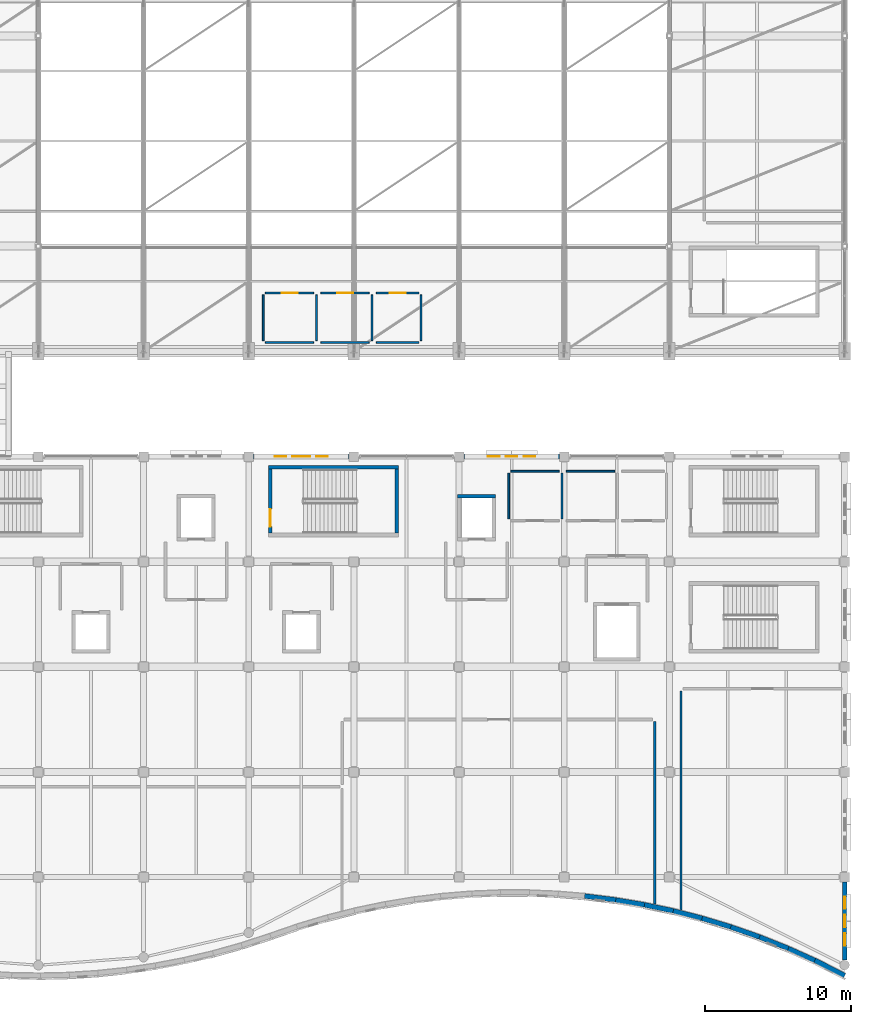
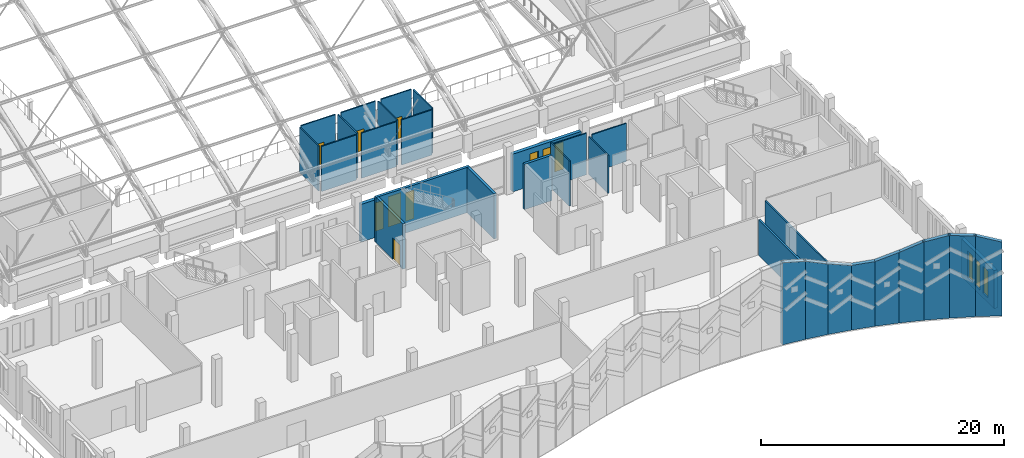
# One storey, part 91 of 116: 32 walls, 9 windows, 4 doors, 13 openings.
"""IFC4 building model written with IfcOpenShell, lengths in metres."""

from ifc_helpers import new_model, si_unit, direction, frame, frame_2d, origin, place, context, subcontext, project, spatial, polyline, rectangle, outline, extrude, material, layer, layer_set, type_object, element, fill, save


model = new_model("IFC4")

# Units and contexts
model_context = context("Model", 3, precision=1e-05, world=origin(), true_north=direction((0.0, 1.0)))
body_context = subcontext(model_context, "Body", "Model", "MODEL_VIEW")
ifc_project = project(units=[si_unit("LENGTHUNIT", "METRE"), si_unit("AREAUNIT", "SQUARE_METRE"), si_unit("VOLUMEUNIT", "CUBIC_METRE"), si_unit("PLANEANGLEUNIT", "RADIAN"), si_unit("MASSUNIT", "GRAM", prefix="KILO")], contexts=[model_context])

# Site, building, storey
site_placement = place(None, origin())
site = spatial("IfcSite", under=ifc_project, at=site_placement, CompositionType="ELEMENT")
building_placement = place(site_placement, origin())
building = spatial("IfcBuilding", under=site, at=building_placement, Name="Cendralis Lancet Convention Centre", CompositionType="ELEMENT")
storey_placement = place(building_placement, frame((0.0, 0.0, 15.0)))
storey = spatial("IfcBuildingStorey", under=building, at=storey_placement, Name="L03", CompositionType="ELEMENT", Elevation=15.0)

# Wall, openings, windows
ifc_material_1 = material(Name="Buff sandstone ashlar and Concrete G40 (C40/50)", Category="masonry")
ifc_layer_1 = layer(ifc_material_1, 0.320068359375, Name="Buff sandstone ashlar and Concrete G40 (C40/50)")
ifc_layer_set_1 = layer_set([ifc_layer_1], Name="Buff sandstone ashlar and Concrete G40 (C40/50)")
wall_type_1 = type_object("IfcWallType", Name="ARC-EW-W320", PredefinedType="STANDARD", material=ifc_layer_set_1)
wall_1_placement = place(storey_placement, frame((168.3330078125, 36.0, 0.0), z_axis=(0.0, 0.0, 1.0), x_axis=(1.0, 0.0, 0.0)))
wall_1 = element("IfcWall", 1, at=wall_1_placement, inside=storey, type_object=wall_type_1, Name="L03 V5 Exterior Wall EW-06 #0306", PredefinedType="STANDARD", context=body_context, shape_type="SweptSolid", body=[
    extrude(rectangle(XDim=6.533935546875, YDim=0.320068359375, at=frame_2d((3.26708984375, 0.0))), origin(), (0.0, 0.0, 1.0), 3.784912109375),
])
opening_1_placement = place(wall_1_placement, frame((1.447021484375, 0.0, 0.5)))
opening_1 = element("IfcOpeningElement", 2, at=opening_1_placement, cuts=wall_1, Name="Opening WN-01", PredefinedType="OPENING", context=body_context, shape_type="SweptSolid", body=[
    extrude(rectangle(XDim=0.780029296875, YDim=2.85009765625, at=frame_2d((0.39013671875, 1.425048828125))), frame((0.0, 0.169921875, 0.0), z_axis=(0.0, -1.0, 0.0), x_axis=(1.0, 0.0, 0.0)), (0.0, 0.0, 1.0), 0.340087890625),
])
opening_2_placement = place(wall_1_placement, frame((2.64697265625, 0.0, 0.5)))
opening_2 = element("IfcOpeningElement", 3, at=opening_2_placement, cuts=wall_1, Name="Opening WN-16", PredefinedType="OPENING", context=body_context, shape_type="SweptSolid", body=[
    extrude(rectangle(XDim=1.239990234375, YDim=3.050048828125, at=frame_2d((0.6201171875, 1.52490234375))), frame((0.0, 0.169921875, 0.0), z_axis=(0.0, -1.0, 0.0), x_axis=(1.0, 0.0, 0.0)), (0.0, 0.0, 1.0), 0.340087890625),
])
opening_3_placement = place(wall_1_placement, frame((4.306884765625, 0.0, 0.5)))
opening_3 = element("IfcOpeningElement", 4, at=opening_3_placement, cuts=wall_1, Name="Opening WN-01", PredefinedType="OPENING", context=body_context, shape_type="SweptSolid", body=[
    extrude(rectangle(XDim=0.780029296875, YDim=2.85009765625, at=frame_2d((0.39013671875, 1.425048828125))), frame((0.0, 0.169921875, 0.0), z_axis=(0.0, -1.0, 0.0), x_axis=(1.0, 0.0, 0.0)), (0.0, 0.0, 1.0), 0.340087890625),
])
ifc_material_2 = material(Name="Double-glazed low-E solar-control glass", Category="glass")
window_type_1 = type_object("IfcWindowType", Name="ARC-WN-LW01", PartitioningType="SINGLE_PANEL", PredefinedType="WINDOW", material=ifc_material_2)
window_1_placement = place(opening_1_placement, origin())
window_1 = element("IfcWindow", 5, at=window_1_placement, inside=storey, type_object=window_type_1, Name="Gothic Lancet Window WN-01 #0598", OverallHeight=2.85009765625, OverallWidth=0.780029296875, PartitioningType="SINGLE_PANEL", PredefinedType="WINDOW", context=body_context, shape_type="SweptSolid", body=[
    extrude(rectangle(XDim=0.780029296875, YDim=2.85009765625, at=frame_2d((0.39013671875, 1.425048828125))), frame((0.0, 0.030029296875, 0.0), z_axis=(0.0, -1.0, 0.0), x_axis=(1.0, 0.0, 0.0)), (0.0, 0.0, 1.0), 0.06005859375),
])
fill(opening_1, window_1)
window_2_placement = place(opening_3_placement, origin())
window_2 = element("IfcWindow", 6, at=window_2_placement, inside=storey, type_object=window_type_1, Name="Gothic Lancet Window WN-01 #0600", OverallHeight=2.85009765625, OverallWidth=0.780029296875, PartitioningType="SINGLE_PANEL", PredefinedType="WINDOW", context=body_context, shape_type="SweptSolid", body=[
    extrude(rectangle(XDim=0.780029296875, YDim=2.85009765625, at=frame_2d((0.39013671875, 1.425048828125))), frame((0.0, 0.030029296875, 0.0), z_axis=(0.0, -1.0, 0.0), x_axis=(1.0, 0.0, 0.0)), (0.0, 0.0, 1.0), 0.06005859375),
])
fill(opening_3, window_2)
window_type_2 = type_object("IfcWindowType", Name="ARC-WN-LW16", PartitioningType="SINGLE_PANEL", PredefinedType="WINDOW", material=ifc_material_2)
window_3_placement = place(opening_2_placement, origin())
window_3 = element("IfcWindow", 7, at=window_3_placement, inside=storey, type_object=window_type_2, Name="Gothic Lancet Window WN-16 #0599", OverallHeight=3.050048828125, OverallWidth=1.239990234375, PartitioningType="SINGLE_PANEL", PredefinedType="WINDOW", context=body_context, shape_type="SweptSolid", body=[
    extrude(rectangle(XDim=1.239990234375, YDim=3.050048828125, at=frame_2d((0.6201171875, 1.52490234375))), frame((0.0, 0.030029296875, 0.0), z_axis=(0.0, -1.0, 0.0), x_axis=(1.0, 0.0, 0.0)), (0.0, 0.0, 1.0), 0.06005859375),
])
fill(opening_2, window_3)

wall_2_placement = place(storey_placement, frame((182.73291015625, 36.0, 0.0), z_axis=(0.0, 0.0, 1.0), x_axis=(1.0, 0.0, 0.0)))
wall_2 = element("IfcWall", 8, at=wall_2_placement, inside=storey, type_object=wall_type_1, Name="L03 V5 Exterior Wall EW-06 #0307", PredefinedType="STANDARD", context=body_context, shape_type="SweptSolid", body=[
    extrude(rectangle(XDim=6.5341796875, YDim=0.320068359375, at=frame_2d((3.26708984375, 0.0))), origin(), (0.0, 0.0, 1.0), 3.784912109375),
])
opening_4_placement = place(wall_2_placement, frame((1.64697265625, 0.0, 0.5)))
opening_4 = element("IfcOpeningElement", 9, at=opening_4_placement, cuts=wall_2, Name="Opening WN-07", PredefinedType="OPENING", context=body_context, shape_type="SweptSolid", body=[
    extrude(rectangle(XDim=0.800048828125, YDim=2.75, at=frame_2d((0.39990234375, 1.375))), frame((0.0, 0.169921875, 0.0), z_axis=(0.0, -1.0, 0.0), x_axis=(1.0, 0.0, 0.0)), (0.0, 0.0, 1.0), 0.340087890625),
])
opening_5_placement = place(wall_2_placement, frame((2.866943359375, 0.0, 0.5)))
opening_5 = element("IfcOpeningElement", 10, at=opening_5_placement, cuts=wall_2, Name="Opening WN-07", PredefinedType="OPENING", context=body_context, shape_type="SweptSolid", body=[
    extrude(rectangle(XDim=0.800048828125, YDim=2.75, at=frame_2d((0.39990234375, 1.375))), frame((0.0, 0.169921875, 0.0), z_axis=(0.0, -1.0, 0.0), x_axis=(1.0, 0.0, 0.0)), (0.0, 0.0, 1.0), 0.340087890625),
])
opening_6_placement = place(wall_2_placement, frame((4.0869140625, 0.0, 0.5)))
opening_6 = element("IfcOpeningElement", 11, at=opening_6_placement, cuts=wall_2, Name="Opening WN-07", PredefinedType="OPENING", context=body_context, shape_type="SweptSolid", body=[
    extrude(rectangle(XDim=0.800048828125, YDim=2.75, at=frame_2d((0.39990234375, 1.375))), frame((0.0, 0.169921875, 0.0), z_axis=(0.0, -1.0, 0.0), x_axis=(1.0, 0.0, 0.0)), (0.0, 0.0, 1.0), 0.340087890625),
])
window_type_3 = type_object("IfcWindowType", Name="ARC-WN-LW07", PartitioningType="SINGLE_PANEL", PredefinedType="WINDOW", material=ifc_material_2)
window_4_placement = place(opening_4_placement, origin())
window_4 = element("IfcWindow", 12, at=window_4_placement, inside=storey, type_object=window_type_3, Name="Gothic Lancet Window WN-07 #0601", OverallHeight=2.75, OverallWidth=0.800048828125, PartitioningType="SINGLE_PANEL", PredefinedType="WINDOW", context=body_context, shape_type="SweptSolid", body=[
    extrude(rectangle(XDim=0.800048828125, YDim=2.75, at=frame_2d((0.39990234375, 1.375))), frame((0.0, 0.030029296875, 0.0), z_axis=(0.0, -1.0, 0.0), x_axis=(1.0, 0.0, 0.0)), (0.0, 0.0, 1.0), 0.06005859375),
])
fill(opening_4, window_4)
window_5_placement = place(opening_5_placement, origin())
window_5 = element("IfcWindow", 13, at=window_5_placement, inside=storey, type_object=window_type_3, Name="Gothic Lancet Window WN-07 #0602", OverallHeight=2.75, OverallWidth=0.800048828125, PartitioningType="SINGLE_PANEL", PredefinedType="WINDOW", context=body_context, shape_type="SweptSolid", body=[
    extrude(rectangle(XDim=0.800048828125, YDim=2.75, at=frame_2d((0.39990234375, 1.375))), frame((0.0, 0.030029296875, 0.0), z_axis=(0.0, -1.0, 0.0), x_axis=(1.0, 0.0, 0.0)), (0.0, 0.0, 1.0), 0.06005859375),
])
fill(opening_5, window_5)
window_6_placement = place(opening_6_placement, origin())
window_6 = element("IfcWindow", 14, at=window_6_placement, inside=storey, type_object=window_type_3, Name="Gothic Lancet Window WN-07 #0603", OverallHeight=2.75, OverallWidth=0.800048828125, PartitioningType="SINGLE_PANEL", PredefinedType="WINDOW", context=body_context, shape_type="SweptSolid", body=[
    extrude(rectangle(XDim=0.800048828125, YDim=2.75, at=frame_2d((0.39990234375, 1.375))), frame((0.0, 0.030029296875, 0.0), z_axis=(0.0, -1.0, 0.0), x_axis=(1.0, 0.0, 0.0)), (0.0, 0.0, 1.0), 0.06005859375),
])
fill(opening_6, window_6)

wall_3_placement = place(storey_placement, frame((208.800048828125, 6.866943359375, 0.0), z_axis=(0.0, 0.0, 1.0), x_axis=(0.0, -1.0, 0.0)))
wall_3 = element("IfcWall", 15, at=wall_3_placement, inside=storey, type_object=wall_type_1, Name="L03 V5 Exterior Wall EW-06 #0310", PredefinedType="STANDARD", context=body_context, shape_type="SweptSolid", body=[
    extrude(rectangle(XDim=5.35009765625, YDim=0.320068359375, at=frame_2d((2.675048828125, 0.0))), origin(), (0.0, 0.0, 1.0), 3.824951171875),
])
opening_7_placement = place(wall_3_placement, frame((0.9951171875, 0.0, 0.5)))
opening_7 = element("IfcOpeningElement", 16, at=opening_7_placement, cuts=wall_3, Name="Opening WN-15", PredefinedType="OPENING", context=body_context, shape_type="SweptSolid", body=[
    extrude(rectangle(XDim=0.840087890625, YDim=2.699951171875, at=frame_2d((0.419921875, 1.35009765625))), frame((0.0, 0.169921875, 0.0), z_axis=(0.0, -1.0, 0.0), x_axis=(1.0, 0.0, 0.0)), (0.0, 0.0, 1.0), 0.340087890625),
])
opening_8_placement = place(wall_3_placement, frame((2.255126953125, 0.0, 0.5)))
opening_8 = element("IfcOpeningElement", 17, at=opening_8_placement, cuts=wall_3, Name="Opening WN-15", PredefinedType="OPENING", context=body_context, shape_type="SweptSolid", body=[
    extrude(rectangle(XDim=0.840087890625, YDim=2.699951171875, at=frame_2d((0.419921875, 1.35009765625))), frame((0.0, 0.169921875, 0.0), z_axis=(0.0, -1.0, 0.0), x_axis=(1.0, 0.0, 0.0)), (0.0, 0.0, 1.0), 0.340087890625),
])
opening_9_placement = place(wall_3_placement, frame((3.51513671875, 0.0, 0.5)))
opening_9 = element("IfcOpeningElement", 18, at=opening_9_placement, cuts=wall_3, Name="Opening WN-15", PredefinedType="OPENING", context=body_context, shape_type="SweptSolid", body=[
    extrude(rectangle(XDim=0.840087890625, YDim=2.699951171875, at=frame_2d((0.419921875, 1.35009765625))), frame((0.0, 0.169921875, 0.0), z_axis=(0.0, -1.0, 0.0), x_axis=(1.0, 0.0, 0.0)), (0.0, 0.0, 1.0), 0.340087890625),
])
window_type_4 = type_object("IfcWindowType", Name="ARC-WN-LW15", PartitioningType="SINGLE_PANEL", PredefinedType="WINDOW", material=ifc_material_2)
window_7_placement = place(opening_7_placement, origin())
window_7 = element("IfcWindow", 19, at=window_7_placement, inside=storey, type_object=window_type_4, Name="Gothic Lancet Window WN-15 #0610", OverallHeight=2.699951171875, OverallWidth=0.840087890625, PartitioningType="SINGLE_PANEL", PredefinedType="WINDOW", context=body_context, shape_type="SweptSolid", body=[
    extrude(rectangle(XDim=0.840087890625, YDim=2.699951171875, at=frame_2d((0.419921875, 1.35009765625))), frame((0.0, 0.030029296875, 0.0), z_axis=(0.0, -1.0, 0.0), x_axis=(1.0, 0.0, 0.0)), (0.0, 0.0, 1.0), 0.06005859375),
])
fill(opening_7, window_7)
window_8_placement = place(opening_8_placement, origin())
window_8 = element("IfcWindow", 20, at=window_8_placement, inside=storey, type_object=window_type_4, Name="Gothic Lancet Window WN-15 #0611", OverallHeight=2.699951171875, OverallWidth=0.840087890625, PartitioningType="SINGLE_PANEL", PredefinedType="WINDOW", context=body_context, shape_type="SweptSolid", body=[
    extrude(rectangle(XDim=0.840087890625, YDim=2.699951171875, at=frame_2d((0.419921875, 1.35009765625))), frame((0.0, 0.030029296875, 0.0), z_axis=(0.0, -1.0, 0.0), x_axis=(1.0, 0.0, 0.0)), (0.0, 0.0, 1.0), 0.06005859375),
])
fill(opening_8, window_8)
window_9_placement = place(opening_9_placement, origin())
window_9 = element("IfcWindow", 21, at=window_9_placement, inside=storey, type_object=window_type_4, Name="Gothic Lancet Window WN-15 #0612", OverallHeight=2.699951171875, OverallWidth=0.840087890625, PartitioningType="SINGLE_PANEL", PredefinedType="WINDOW", context=body_context, shape_type="SweptSolid", body=[
    extrude(rectangle(XDim=0.840087890625, YDim=2.699951171875, at=frame_2d((0.419921875, 1.35009765625))), frame((0.0, 0.030029296875, 0.0), z_axis=(0.0, -1.0, 0.0), x_axis=(1.0, 0.0, 0.0)), (0.0, 0.0, 1.0), 0.06005859375),
])
fill(opening_9, window_9)

# Walls
ifc_layer_2 = layer(ifc_material_1, 0.340087890625, Name="Buff sandstone ashlar and Concrete G40 (C40/50)")
ifc_layer_set_2 = layer_set([ifc_layer_2], Name="Buff sandstone ashlar and Concrete G40 (C40/50)")
wall_type_2 = type_object("IfcWallType", Name="ARC-EW-W340", PredefinedType="STANDARD", material=ifc_layer_set_2)
wall_4_placement = place(storey_placement, frame((190.99267578125, 5.905517578125, 0.0), z_axis=(0.0, 0.0, 1.0), x_axis=(0.992340518497, -0.123532567972, 0.0)))
element("IfcWall", 22, at=wall_4_placement, inside=storey, type_object=wall_type_2, Name="South Boulevard Wave Crest Wall L03 WP-097-WP-098", PredefinedType="STANDARD", context=body_context, shape_type="SweptSolid", body=[
    extrude(outline(polyline([(0.0, 0.0), (2.154296875, 0.0), (2.154052734375, 7.817138671875), (0.0, 8.252685546875), (0.0, 0.0)])), frame((0.0, 0.169921875, 0.0), z_axis=(0.0, -1.0, 0.0), x_axis=(1.0, 0.0, 0.0)), (0.0, 0.0, 1.0), 0.340087890625),
])
wall_5_placement = place(storey_placement, frame((192.962158203125, 5.6640625, 0.0), z_axis=(0.0, 0.0, 1.0), x_axis=(0.986406105595, -0.164325880023, 0.0)))
element("IfcWall", 23, at=wall_5_placement, inside=storey, type_object=wall_type_2, Name="South Boulevard Wave Crest Wall L03 WP-098-WP-099", PredefinedType="STANDARD", context=body_context, shape_type="SweptSolid", body=[
    extrude(outline(polyline([(0.0, 0.0), (2.166259765625, 0.0), (2.166015625, 7.04248046875), (0.0, 7.874267578125), (0.0, 0.0)])), frame((0.0, 0.169921875, 0.0), z_axis=(0.0, -1.0, 0.0), x_axis=(1.0, 0.0, 0.0)), (0.0, 0.0, 1.0), 0.340087890625),
])
wall_6_placement = place(storey_placement, frame((194.931884765625, 5.339599609375, 0.0), z_axis=(0.0, 0.0, 1.0), x_axis=(0.978597224131, -0.205785016274, 0.0)))
element("IfcWall", 24, at=wall_6_placement, inside=storey, type_object=wall_type_2, Name="South Boulevard Wave Crest Wall L03 WP-099-WP-100", PredefinedType="STANDARD", context=body_context, shape_type="SweptSolid", body=[
    extrude(outline(polyline([(0.0, 0.0), (2.182861328125, 0.0), (2.18310546875, 6.465576171875), (0.0, 7.1083984375), (0.0, 0.0)])), frame((0.0, 0.169921875, 0.0), z_axis=(0.0, -1.0, 0.0), x_axis=(1.0, 0.0, 0.0)), (0.0, 0.0, 1.0), 0.340087890625),
])
wall_7_placement = place(storey_placement, frame((196.902587890625, 4.928955078125, 0.0), z_axis=(0.0, 0.0, 1.0), x_axis=(0.969248825285, -0.246082739509, 0.0)))
element("IfcWall", 25, at=wall_7_placement, inside=storey, type_object=wall_type_2, Name="South Boulevard Wave Crest Wall L03 WP-100-WP-101", PredefinedType="STANDARD", context=body_context, shape_type="SweptSolid", body=[
    extrude(outline(polyline([(0.0, 0.0), (2.201416015625, 0.0), (2.201416015625, 6.494140625), (0.0, 6.494140625), (0.0, 0.0)])), frame((0.0, 0.169921875, 0.0), z_axis=(0.0, -1.0, 0.0), x_axis=(1.0, 0.0, 0.0)), (0.0, 0.0, 1.0), 0.340087890625),
])
wall_8_placement = place(storey_placement, frame((198.87255859375, 4.4326171875, 0.0), z_axis=(0.0, 0.0, 1.0), x_axis=(0.957632889706, -0.287991750844, 0.0)))
element("IfcWall", 26, at=wall_8_placement, inside=storey, type_object=wall_type_2, Name="South Boulevard Wave Crest Wall L03 WP-101-WP-102", PredefinedType="STANDARD", context=body_context, shape_type="SweptSolid", body=[
    extrude(outline(polyline([(0.0, 0.0), (2.22607421875, 0.0), (2.22607421875, 7.11474609375), (0.0, 6.4658203125), (0.0, 0.0)])), frame((0.0, 0.169921875, 0.0), z_axis=(0.0, -1.0, 0.0), x_axis=(1.0, 0.0, 0.0)), (0.0, 0.0, 1.0), 0.340087890625),
])
wall_9_placement = place(storey_placement, frame((200.8427734375, 3.843994140625, 0.0), z_axis=(0.0, 0.0, 1.0), x_axis=(0.944466118258, -0.328608812211, 0.0)))
element("IfcWall", 27, at=wall_9_placement, inside=storey, type_object=wall_type_2, Name="South Boulevard Wave Crest Wall L03 WP-102-WP-103", PredefinedType="STANDARD", context=body_context, shape_type="SweptSolid", body=[
    extrude(outline(polyline([(0.0, 0.0), (2.2548828125, 0.0), (2.2548828125, 7.90478515625), (0.0, 7.0498046875), (0.0, 0.0)])), frame((0.0, 0.169921875, 0.0), z_axis=(0.0, -1.0, 0.0), x_axis=(1.0, 0.0, 0.0)), (0.0, 0.0, 1.0), 0.340087890625),
])
wall_10_placement = place(storey_placement, frame((202.81298828125, 3.162353515625, 0.0), z_axis=(0.0, 0.0, 1.0), x_axis=(0.929297953996, -0.369330898651, 0.0)))
element("IfcWall", 28, at=wall_10_placement, inside=storey, type_object=wall_type_2, Name="South Boulevard Wave Crest Wall L03 WP-103-WP-104", PredefinedType="STANDARD", context=body_context, shape_type="SweptSolid", body=[
    extrude(outline(polyline([(0.0, 0.0), (2.289794921875, 0.0), (2.289794921875, 8.323486328125), (0.0, 7.84814453125), (0.0, 0.0)])), frame((0.0, 0.169921875, 0.0), z_axis=(0.0, -1.0, 0.0), x_axis=(1.0, 0.0, 0.0)), (0.0, 0.0, 1.0), 0.340087890625),
])
wall_11_placement = place(storey_placement, frame((204.784423828125, 2.3828125, 0.0), z_axis=(0.0, 0.0, 1.0), x_axis=(0.911764564576, -0.410713256158, 0.0)))
element("IfcWall", 29, at=wall_11_placement, inside=storey, type_object=wall_type_2, Name="South Boulevard Wave Crest Wall L03 WP-104-WP-105", PredefinedType="STANDARD", context=body_context, shape_type="SweptSolid", body=[
    extrude(outline(polyline([(0.0, 0.0), (2.32958984375, 0.0), (2.32958984375, 8.088134765625), (0.0, 8.313232421875), (0.0, 0.0)])), frame((0.0, 0.169921875, 0.0), z_axis=(0.0, -1.0, 0.0), x_axis=(1.0, 0.0, 0.0)), (0.0, 0.0, 1.0), 0.340087890625),
])
wall_12_placement = place(storey_placement, frame((206.755126953125, 1.49951171875, 0.0), z_axis=(0.0, 0.0, 1.0), x_axis=(0.892157701522, -0.451724070219, 0.0)))
element("IfcWall", 30, at=wall_12_placement, inside=storey, type_object=wall_type_2, Name="South Boulevard Wave Crest Wall L03 WP-105-WP-106", PredefinedType="STANDARD", context=body_context, shape_type="SweptSolid", body=[
    extrude(outline(polyline([(0.0, 0.0), (2.2919921875, 0.0), (2.2919921875, 7.39990234375), (0.0, 8.12890625), (0.0, 0.0)])), frame((0.0, 0.169921875, 0.0), z_axis=(0.0, -1.0, 0.0), x_axis=(1.0, 0.0, 0.0)), (0.0, 0.0, 1.0), 0.340087890625),
])

# Wall, opening, door
ifc_material_3 = material(Name="Acoustic fire-rated gypsum board on steel studs", Category="steel")
ifc_layer_3 = layer(ifc_material_3, 0.1201171875, Name="Acoustic fire-rated gypsum board on steel studs")
ifc_layer_set_3 = layer_set([ifc_layer_3], Name="Acoustic fire-rated gypsum board on steel studs")
wall_type_3 = type_object("IfcWallType", Name="ARC-IW-P120", PredefinedType="PARTITIONING", material=ifc_layer_set_3)
wall_13_placement = place(storey_placement, frame((169.14990234375, 47.199951171875, 0.0), z_axis=(0.0, 0.0, 1.0), x_axis=(1.0, 0.0, 0.0)))
wall_13 = element("IfcWall", 31, at=wall_13_placement, inside=storey, type_object=wall_type_3, Name="L03 Interior Partition IW-05 #0125", PredefinedType="PARTITIONING", context=body_context, shape_type="SweptSolid", body=[
    extrude(rectangle(XDim=3.300048828125, YDim=0.1201171875, at=frame_2d((1.64990234375, 0.0))), origin(), (0.0, 0.0, 1.0), 4.534912109375),
])
opening_10_placement = place(wall_13_placement, frame((1.10009765625, 0.0, 0.0)))
opening_10 = element("IfcOpeningElement", 32, at=opening_10_placement, cuts=wall_13, Name="Opening FD-11", PredefinedType="OPENING", context=body_context, shape_type="SweptSolid", body=[
    extrude(rectangle(XDim=1.10009765625, YDim=2.14990234375, at=frame_2d((0.550048828125, 1.074951171875))), frame((0.0, 0.070068359375, 0.0), z_axis=(0.0, -1.0, 0.0), x_axis=(1.0, 0.0, 0.0)), (0.0, 0.0, 1.0), 0.14013671875),
])
ifc_material_4 = material(Name="Steel S355", Category="steel")
door_type_1 = type_object("IfcDoorType", Name="ARC-DR-FF11", OperationType="NOTDEFINED", PredefinedType="DOOR", material=ifc_material_4)
door_1_placement = place(opening_10_placement, origin())
door_1 = element("IfcDoor", 33, at=door_1_placement, inside=storey, type_object=door_type_1, Name="L03-D007 L03 Interior Door FD-11 #0042", OperationType="SINGLE_SWING_RIGHT", OverallHeight=2.14990234375, OverallWidth=1.10009765625, PredefinedType="DOOR", context=body_context, shape_type="SweptSolid", body=[
    extrude(rectangle(XDim=1.10009765625, YDim=2.14990234375, at=frame_2d((0.550048828125, 1.074951171875))), frame((0.0, 0.02490234375, 0.0), z_axis=(0.0, -1.0, 0.0), x_axis=(1.0, 0.0, 0.0)), (0.0, 0.0, 1.0), 0.050048828125),
])
fill(opening_10, door_1)

# Walls
wall_14_placement = place(storey_placement, frame((169.14990234375, 43.800048828125, 0.0), z_axis=(0.0, 0.0, 1.0), x_axis=(1.0, 0.0, 0.0)))
element("IfcWall", 34, at=wall_14_placement, inside=storey, type_object=wall_type_3, Name="L03 Interior Partition IW-05 #0126", PredefinedType="PARTITIONING", context=body_context, shape_type="SweptSolid", body=[
    extrude(rectangle(XDim=3.300048828125, YDim=0.1201171875, at=frame_2d((1.64990234375, 0.0))), origin(), (0.0, 0.0, 1.0), 4.534912109375),
])
for number, where, z_axis, x_axis, name in (
    (35, (169.0, 43.93994140625, 0.0), (0.0, 0.0, 1.0), (0.0, 1.0, 0.0), "L03 Interior Partition IW-05 #0127"),
    (36, (172.64990234375, 43.93994140625, 0.0), (0.0, 0.0, 1.0), (0.0, 1.0, 0.0), "L03 Interior Partition IW-05 #0128"),
):
    element("IfcWall", number, at=place(storey_placement, frame(where, z_axis=z_axis, x_axis=x_axis)), inside=storey, type_object=wall_type_3, Name=name, PredefinedType="PARTITIONING", context=body_context, shape_type="SweptSolid", body=[
        extrude(rectangle(XDim=3.1201171875, YDim=0.1201171875, at=frame_2d((1.56005859375, 0.0))), origin(), (0.0, 0.0, 1.0), 4.534912109375),
    ])

# Wall, opening, door
wall_15_placement = place(storey_placement, frame((172.949951171875, 47.199951171875, 0.0), z_axis=(0.0, 0.0, 1.0), x_axis=(1.0, 0.0, 0.0)))
wall_15 = element("IfcWall", 37, at=wall_15_placement, inside=storey, type_object=wall_type_3, Name="L03 Interior Partition IW-05 #0129", PredefinedType="PARTITIONING", context=body_context, shape_type="SweptSolid", body=[
    extrude(rectangle(XDim=3.300048828125, YDim=0.1201171875, at=frame_2d((1.64990234375, 0.0))), origin(), (0.0, 0.0, 1.0), 4.534912109375),
])
opening_11_placement = place(wall_15_placement, frame((1.10009765625, 0.0, 0.0)))
opening_11 = element("IfcOpeningElement", 38, at=opening_11_placement, cuts=wall_15, Name="Opening FD-11", PredefinedType="OPENING", context=body_context, shape_type="SweptSolid", body=[
    extrude(rectangle(XDim=1.10009765625, YDim=2.14990234375, at=frame_2d((0.550048828125, 1.074951171875))), frame((0.0, 0.070068359375, 0.0), z_axis=(0.0, -1.0, 0.0), x_axis=(1.0, 0.0, 0.0)), (0.0, 0.0, 1.0), 0.14013671875),
])
door_2_placement = place(opening_11_placement, frame((1.10009765625, 0.0, 0.0), z_axis=(0.0, 0.0, 1.0), x_axis=(-1.0, 0.0, 0.0)))
door_2 = element("IfcDoor", 39, at=door_2_placement, inside=storey, type_object=door_type_1, Name="L03-D008 L03 Interior Door FD-11 #0043", OperationType="SINGLE_SWING_LEFT", OverallHeight=2.14990234375, OverallWidth=1.10009765625, PredefinedType="DOOR", context=body_context, shape_type="SweptSolid", body=[
    extrude(rectangle(XDim=1.10009765625, YDim=2.14990234375, at=frame_2d((0.550048828125, 1.074951171875))), frame((0.0, 0.02490234375, 0.0), z_axis=(0.0, -1.0, 0.0), x_axis=(1.0, 0.0, 0.0)), (0.0, 0.0, 1.0), 0.050048828125),
])
fill(opening_11, door_2)

# Walls
wall_16_placement = place(storey_placement, frame((172.949951171875, 43.800048828125, 0.0), z_axis=(0.0, 0.0, 1.0), x_axis=(1.0, 0.0, 0.0)))
element("IfcWall", 40, at=wall_16_placement, inside=storey, type_object=wall_type_3, Name="L03 Interior Partition IW-05 #0130", PredefinedType="PARTITIONING", context=body_context, shape_type="SweptSolid", body=[
    extrude(rectangle(XDim=3.300048828125, YDim=0.1201171875, at=frame_2d((1.64990234375, 0.0))), origin(), (0.0, 0.0, 1.0), 4.534912109375),
])
wall_17_placement = place(storey_placement, frame((176.449951171875, 43.93994140625, 0.0), z_axis=(0.0, 0.0, 1.0), x_axis=(0.0, 1.0, 0.0)))
element("IfcWall", 41, at=wall_17_placement, inside=storey, type_object=wall_type_3, Name="L03 Interior Partition IW-05 #0131", PredefinedType="PARTITIONING", context=body_context, shape_type="SweptSolid", body=[
    extrude(rectangle(XDim=3.1201171875, YDim=0.1201171875, at=frame_2d((1.56005859375, 0.0))), origin(), (0.0, 0.0, 1.0), 4.534912109375),
])

# Wall, opening, door
wall_18_placement = place(storey_placement, frame((176.75, 47.199951171875, 0.0), z_axis=(0.0, 0.0, 1.0), x_axis=(1.0, 0.0, 0.0)))
wall_18 = element("IfcWall", 42, at=wall_18_placement, inside=storey, type_object=wall_type_3, Name="L03 Interior Partition IW-05 #0132", PredefinedType="PARTITIONING", context=body_context, shape_type="SweptSolid", body=[
    extrude(rectangle(XDim=2.89990234375, YDim=0.1201171875, at=frame_2d((1.449951171875, 0.0))), origin(), (0.0, 0.0, 1.0), 4.534912109375),
])
opening_12_placement = place(wall_18_placement, frame((0.89990234375, 0.0, 0.0)))
opening_12 = element("IfcOpeningElement", 43, at=opening_12_placement, cuts=wall_18, Name="Opening FD-11", PredefinedType="OPENING", context=body_context, shape_type="SweptSolid", body=[
    extrude(rectangle(XDim=1.10009765625, YDim=2.14990234375, at=frame_2d((0.550048828125, 1.074951171875))), frame((0.0, 0.070068359375, 0.0), z_axis=(0.0, -1.0, 0.0), x_axis=(1.0, 0.0, 0.0)), (0.0, 0.0, 1.0), 0.14013671875),
])
door_3_placement = place(opening_12_placement, origin())
door_3 = element("IfcDoor", 44, at=door_3_placement, inside=storey, type_object=door_type_1, Name="L03-D009 L03 Interior Door FD-11 #0044", OperationType="SINGLE_SWING_RIGHT", OverallHeight=2.14990234375, OverallWidth=1.10009765625, PredefinedType="DOOR", context=body_context, shape_type="SweptSolid", body=[
    extrude(rectangle(XDim=1.10009765625, YDim=2.14990234375, at=frame_2d((0.550048828125, 1.074951171875))), frame((0.0, 0.02490234375, 0.0), z_axis=(0.0, -1.0, 0.0), x_axis=(1.0, 0.0, 0.0)), (0.0, 0.0, 1.0), 0.050048828125),
])
fill(opening_12, door_3)

# Walls
wall_19_placement = place(storey_placement, frame((176.75, 43.800048828125, 0.0), z_axis=(0.0, 0.0, 1.0), x_axis=(1.0, 0.0, 0.0)))
element("IfcWall", 45, at=wall_19_placement, inside=storey, type_object=wall_type_3, Name="L03 Interior Partition IW-05 #0133", PredefinedType="PARTITIONING", context=body_context, shape_type="SweptSolid", body=[
    extrude(rectangle(XDim=2.89990234375, YDim=0.1201171875, at=frame_2d((1.449951171875, 0.0))), origin(), (0.0, 0.0, 1.0), 4.534912109375),
])
wall_20_placement = place(storey_placement, frame((179.800048828125, 43.93994140625, 0.0), z_axis=(0.0, 0.0, 1.0), x_axis=(0.0, 1.0, 0.0)))
element("IfcWall", 46, at=wall_20_placement, inside=storey, type_object=wall_type_3, Name="L03 Interior Partition IW-05 #0134", PredefinedType="PARTITIONING", context=body_context, shape_type="SweptSolid", body=[
    extrude(rectangle(XDim=3.1201171875, YDim=0.1201171875, at=frame_2d((1.56005859375, 0.0))), origin(), (0.0, 0.0, 1.0), 4.534912109375),
])
wall_21_placement = place(storey_placement, frame((185.949951171875, 35.0, 0.0), z_axis=(0.0, 0.0, 1.0), x_axis=(1.0, 0.0, 0.0)))
element("IfcWall", 47, at=wall_21_placement, inside=storey, type_object=wall_type_3, Name="L03 Interior Partition IW-05 #0415", PredefinedType="PARTITIONING", context=body_context, shape_type="SweptSolid", body=[
    extrude(rectangle(XDim=3.300048828125, YDim=0.1201171875, at=frame_2d((1.64990234375, 0.0))), origin(), (0.0, 0.0, 1.0), 4.175048828125),
])
wall_22_placement = place(storey_placement, frame((185.800048828125, 31.739990234375, 0.0), z_axis=(0.0, 0.0, 1.0), x_axis=(0.0, 1.0, 0.0)))
element("IfcWall", 48, at=wall_22_placement, inside=storey, type_object=wall_type_3, Name="L03 Interior Partition IW-05 #0416", PredefinedType="PARTITIONING", context=body_context, shape_type="SweptSolid", body=[
    extrude(rectangle(XDim=3.1201171875, YDim=0.1201171875, at=frame_2d((1.56005859375, 0.0))), origin(), (0.0, 0.0, 1.0), 4.534912109375),
])
wall_23_placement = place(storey_placement, frame((189.449951171875, 31.739990234375, 0.0), z_axis=(0.0, 0.0, 1.0), x_axis=(0.0, 1.0, 0.0)))
element("IfcWall", 49, at=wall_23_placement, inside=storey, type_object=wall_type_3, Name="L03 Interior Partition IW-05 #0417", PredefinedType="PARTITIONING", context=body_context, shape_type="SweptSolid", body=[
    extrude(rectangle(XDim=3.1201171875, YDim=0.1201171875, at=frame_2d((1.56005859375, 0.0))), origin(), (0.0, 0.0, 1.0), 3.8349609375),
])
wall_24_placement = place(storey_placement, frame((189.75, 35.0, 0.0), z_axis=(0.0, 0.0, 1.0), x_axis=(1.0, 0.0, 0.0)))
element("IfcWall", 50, at=wall_24_placement, inside=storey, type_object=wall_type_3, Name="L03 Interior Partition IW-05 #0419", PredefinedType="PARTITIONING", context=body_context, shape_type="SweptSolid", body=[
    extrude(rectangle(XDim=3.300048828125, YDim=0.1201171875, at=frame_2d((1.64990234375, 0.0))), origin(), (0.0, 0.0, 1.0), 3.8349609375),
])
ifc_layer_4 = layer(ifc_material_3, 0.139892578125, Name="Acoustic fire-rated gypsum board on steel studs")
ifc_layer_set_4 = layer_set([ifc_layer_4], Name="Acoustic fire-rated gypsum board on steel studs")
wall_type_4 = type_object("IfcWallType", Name="ARC-IW-P140", PredefinedType="PARTITIONING", material=ifc_layer_set_4)
wall_25_placement = place(storey_placement, frame((197.60009765625, 4.951416015625, 0.0), z_axis=(0.0, 0.0, 1.0), x_axis=(0.0, 1.0, 0.0)))
element("IfcWall", 51, at=wall_25_placement, inside=storey, type_object=wall_type_4, Name="L03 Interior Partition IW-04 #0410", PredefinedType="PARTITIONING", context=body_context, shape_type="SweptSolid", body=[
    extrude(rectangle(XDim=15.008544921875, YDim=0.139892578125, at=frame_2d((7.50439453125, 0.0))), origin(), (0.0, 0.0, 1.0), 3.56494140625),
])
ifc_layer_5 = layer(ifc_material_3, 0.179931640625, Name="Acoustic fire-rated gypsum board on steel studs")
ifc_layer_set_5 = layer_set([ifc_layer_5], Name="Acoustic fire-rated gypsum board on steel studs")
wall_type_5 = type_object("IfcWallType", Name="ARC-IW-P180", PredefinedType="PARTITIONING", material=ifc_layer_set_5)
wall_26_placement = place(storey_placement, frame((195.800048828125, 5.357666015625, 0.0), z_axis=(0.0, 0.0, 1.0), x_axis=(0.0, 1.0, 0.0)))
element("IfcWall", 52, at=wall_26_placement, inside=storey, type_object=wall_type_5, Name="L03 Interior Partition IW-02 #0409", PredefinedType="PARTITIONING", context=body_context, shape_type="SweptSolid", body=[
    extrude(rectangle(XDim=12.50244140625, YDim=0.179931640625, at=frame_2d((6.251220703125, 0.0))), origin(), (0.0, 0.0, 1.0), 3.56494140625),
])

# Wall, opening, door
ifc_material_5 = material(Name="Concrete G40 (C40/50)", Category="concrete")
ifc_layer_6 = layer(ifc_material_5, 0.25, Name="Concrete G40 (C40/50)")
ifc_layer_set_6 = layer_set([ifc_layer_6], Name="Concrete G40 (C40/50)")
wall_type_6 = type_object("IfcWallType", Name="STR-SW-CW250", PredefinedType="SHEAR", material=ifc_layer_set_6)
wall_27_placement = place(storey_placement, frame((169.47509765625, 30.75, 0.0), z_axis=(0.0, 0.0, 1.0), x_axis=(0.0, 1.0, 0.0)))
wall_27 = element("IfcWall", 53, at=wall_27_placement, inside=storey, type_object=wall_type_6, Name="L03 Stair Core ST-14 West Shear Wall", PredefinedType="SHEAR", context=body_context, shape_type="SweptSolid", body=[
    extrude(rectangle(XDim=4.3798828125, YDim=0.25, at=frame_2d((2.18994140625, 0.0))), origin(), (0.0, 0.0, 1.0), 4.550048828125),
])
opening_13_placement = place(wall_27_placement, frame((0.449951171875, 0.0, 0.0)))
opening_13 = element("IfcOpeningElement", 54, at=opening_13_placement, cuts=wall_27, Name="Opening SD-12", PredefinedType="OPENING", context=body_context, shape_type="SweptSolid", body=[
    extrude(rectangle(XDim=1.199951171875, YDim=2.14990234375, at=frame_2d((0.60009765625, 1.074951171875))), frame((0.0, 0.135009765625, 0.0), z_axis=(0.0, -1.0, 0.0), x_axis=(1.0, 0.0, 0.0)), (0.0, 0.0, 1.0), 0.27001953125),
])
door_type_2 = type_object("IfcDoorType", Name="ARC-DR-ST12", OperationType="NOTDEFINED", PredefinedType="DOOR", material=ifc_material_4)
door_4_placement = place(opening_13_placement, frame((1.199951171875, 0.0, 0.0), z_axis=(0.0, 0.0, 1.0), x_axis=(-1.0, 0.0, 0.0)))
door_4 = element("IfcDoor", 55, at=door_4_placement, inside=storey, type_object=door_type_2, Name="L03-D058 L03 Exit Stair ST-14 Fire Door", OperationType="SINGLE_SWING_LEFT", OverallHeight=2.14990234375, OverallWidth=1.199951171875, PredefinedType="DOOR", context=body_context, shape_type="SweptSolid", body=[
    extrude(rectangle(XDim=1.199951171875, YDim=2.14990234375, at=frame_2d((0.60009765625, 1.074951171875))), frame((0.0, 0.02490234375, 0.0), z_axis=(0.0, -1.0, 0.0), x_axis=(1.0, 0.0, 0.0)), (0.0, 0.0, 1.0), 0.050048828125),
])
fill(opening_13, door_4)

# Walls
wall_28_placement = place(storey_placement, frame((178.125, 30.75, 0.0), z_axis=(0.0, 0.0, 1.0), x_axis=(0.0, 1.0, 0.0)))
element("IfcWall", 56, at=wall_28_placement, inside=storey, type_object=wall_type_6, Name="L03 Stair Core ST-14 East Shear Wall", PredefinedType="SHEAR", context=body_context, shape_type="SweptSolid", body=[
    extrude(rectangle(XDim=4.3798828125, YDim=0.25, at=frame_2d((2.18994140625, 0.0))), origin(), (0.0, 0.0, 1.0), 4.550048828125),
])
wall_29_placement = place(storey_placement, frame((169.35009765625, 35.2548828125, 0.0), z_axis=(0.0, 0.0, 1.0), x_axis=(1.0, 0.0, 0.0)))
element("IfcWall", 57, at=wall_29_placement, inside=storey, type_object=wall_type_6, Name="L03 Stair Core ST-14 North Shear Wall", PredefinedType="SHEAR", context=body_context, shape_type="SweptSolid", body=[
    extrude(rectangle(XDim=8.89990234375, YDim=0.25, at=frame_2d((4.449951171875, 0.0))), origin(), (0.0, 0.0, 1.0), 4.550048828125),
])
wall_30_placement = place(storey_placement, frame((182.300048828125, 33.27490234375, 0.0), z_axis=(0.0, 0.0, 1.0), x_axis=(1.0, 0.0, 0.0)))
element("IfcWall", 58, at=wall_30_placement, inside=storey, type_object=wall_type_6, Name="L03 Lift LF-02 North Shaft Wall", PredefinedType="SHEAR", context=body_context, shape_type="SweptSolid", body=[
    extrude(rectangle(XDim=2.599853515625, YDim=0.25, at=frame_2d((1.2998046875, 0.0))), origin(), (0.0, 0.0, 1.0), 4.550048828125),
])

save(model, "model.ifc")
